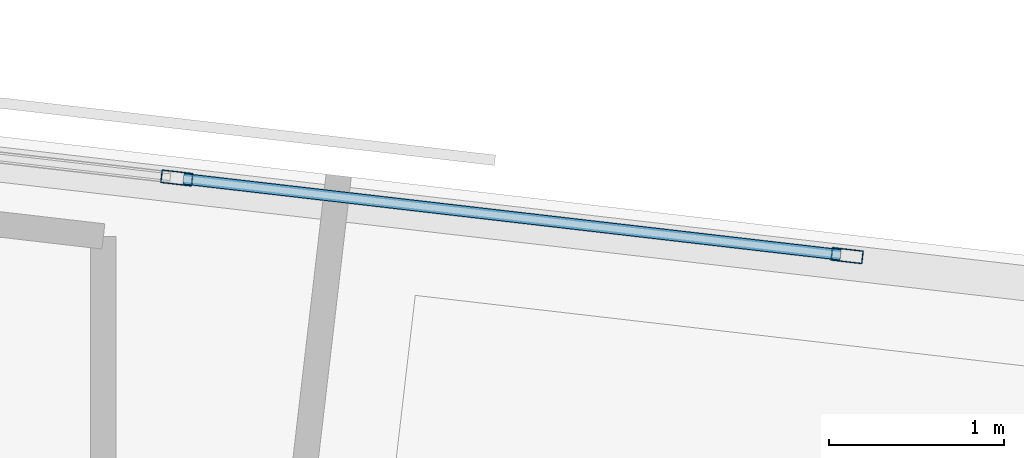
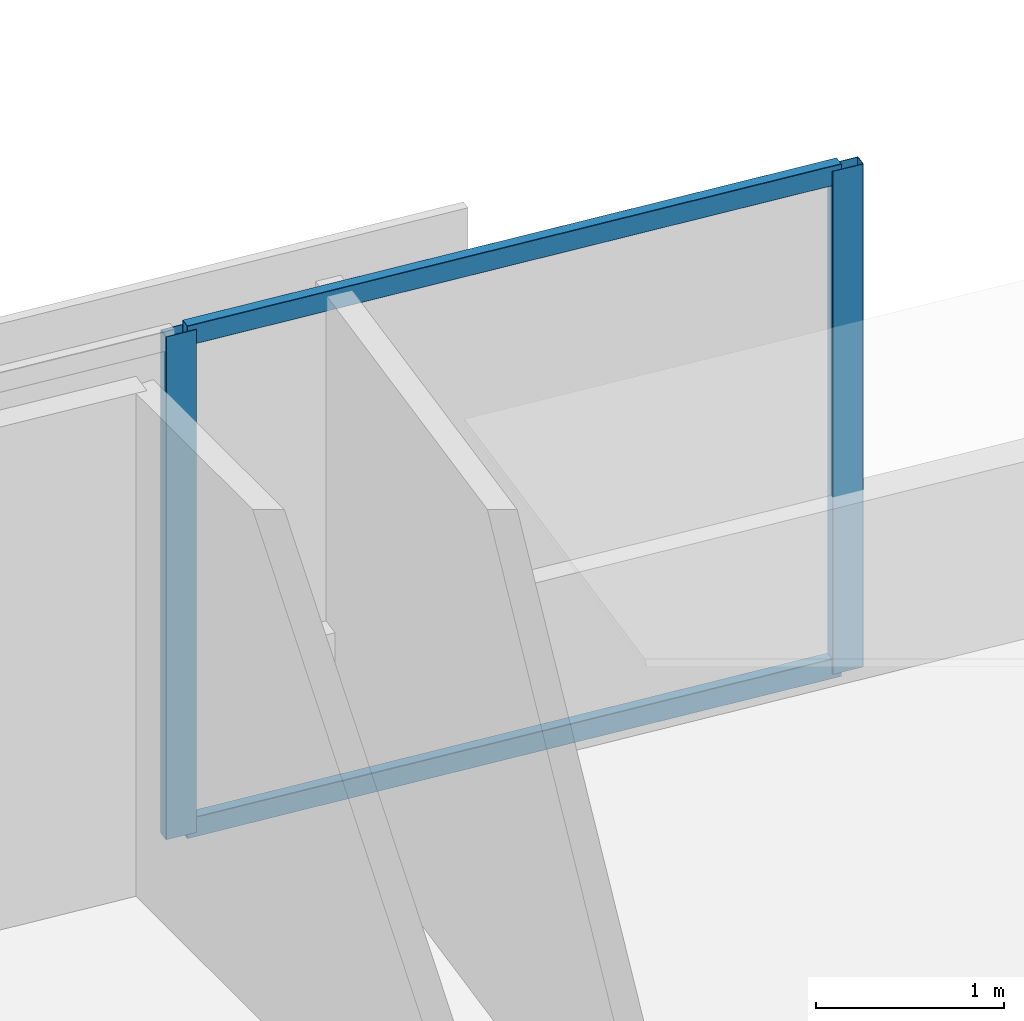
# One storey, part 2 of 14: 4 members, 1 element without a shape of its own.
"""IFC4 building model written with IfcOpenShell, lengths in metres."""

from ifc_helpers import new_model, si_unit, direction, frame, origin, origin_2d, place, context, subcontext, project, spatial, hollow_rectangle, extrude, material, material_profile, profile_set, type_object, element, aggregate, save


model = new_model("IFC4")

# Units and contexts
model_context = context("Model", 3, precision=1e-05, world=origin(), true_north=direction((0.0, 1.0)))
body_context = subcontext(model_context, "Body", "Model", "MODEL_VIEW")
ifc_project = project(units=[si_unit("LENGTHUNIT", "METRE"), si_unit("AREAUNIT", "SQUARE_METRE"), si_unit("VOLUMEUNIT", "CUBIC_METRE"), si_unit("PLANEANGLEUNIT", "RADIAN"), si_unit("MASSUNIT", "GRAM", prefix="KILO")], contexts=[model_context])

# Site, building, storey
site_placement = place(None, origin())
site = spatial("IfcSite", under=ifc_project, at=site_placement, CompositionType="ELEMENT")
building_placement = place(site_placement, origin())
building = spatial("IfcBuilding", under=site, at=building_placement, Name="Narakoshi Arena Tower", CompositionType="ELEMENT")
storey_placement = place(building_placement, frame((0.0, 0.0, 218.5)))
storey = spatial("IfcBuildingStorey", under=building, at=storey_placement, Name="L59", CompositionType="ELEMENT", Elevation=218.5)

# Curtain wall, members
ifc_material = material(Name="Anodised bronze aluminium 6063-T6", Category="aluminium")
curtain_wall_type = type_object("IfcCurtainWallType", Name="CW-HYP-MID", PredefinedType="NOTDEFINED", material=ifc_material)
curtain_wall_placement = place(storey_placement, origin())
curtain_wall = element("IfcCurtainWall", 1, at=curtain_wall_placement, inside=storey, type_object=curtain_wall_type, Name="L59 Folded Hypotenuse Curtain Wall 2-1", PredefinedType="NOTDEFINED")
ifc_material_profile_1 = material_profile(ifc_material, hollow_rectangle(XDim=0.074951171875, YDim=0.179931640625, WallThickness=0.00390625, OuterFilletRadius=0.0048828125, at=origin_2d()), Name="MUL180x75x4")
ifc_profile_set_1 = profile_set([ifc_material_profile_1], Name="Anodised bronze aluminium 6063-T6")
member_type_1 = type_object("IfcMemberType", Name="MEM-MUL-180", PredefinedType="MULLION", material=ifc_profile_set_1)
member_1_placement = place(storey_placement, frame((83.901611328125, 63.554931640625, 0.0), z_axis=(0.0, 0.0, 1.0), x_axis=(-0.115011296816, -0.993364183774, 0.0)))
member_1 = element("IfcMember", 2, at=member_1_placement, type_object=member_type_1, Name="CW-02 mullion 1", PredefinedType="MULLION", context=body_context, shape_type="SweptSolid", body=[
    extrude(hollow_rectangle(XDim=0.074951171875, YDim=0.179931640625, WallThickness=0.00390625, OuterFilletRadius=0.0048828125, at=origin_2d()), origin(), (0.0, 0.0, 1.0), 3.260009765625),
])
member_2_placement = place(storey_placement, frame((80.06982421875, 63.99853515625, 0.0), z_axis=(0.0, 0.0, 1.0), x_axis=(-0.115011296816, -0.993364183774, 0.0)))
member_2 = element("IfcMember", 3, at=member_2_placement, type_object=member_type_1, Name="CW-02 mullion 2", PredefinedType="MULLION", context=body_context, shape_type="SweptSolid", body=[
    extrude(hollow_rectangle(XDim=0.074951171875, YDim=0.179931640625, WallThickness=0.00390625, OuterFilletRadius=0.0048828125, at=origin_2d()), origin(), (0.0, 0.0, 1.0), 3.260009765625),
])
ifc_material_profile_2 = material_profile(ifc_material, hollow_rectangle(XDim=0.06494140625, YDim=0.1298828125, WallThickness=0.00390625, OuterFilletRadius=0.0048828125, at=origin_2d()), Name="TRN130x65x4")
ifc_profile_set_2 = profile_set([ifc_material_profile_2], Name="Anodised bronze aluminium 6063-T6")
member_type_2 = type_object("IfcMemberType", Name="MEM-TRN-130", PredefinedType="USERDEFINED", material=ifc_profile_set_2)
member_3_placement = place(storey_placement, frame((83.864501953125, 63.55908203125, 0.032470703125), z_axis=(-0.993363915753, 0.115013611713, 0.0), x_axis=(-0.115013611713, -0.993363915753, 0.0)))
member_3 = element("IfcMember", 4, at=member_3_placement, type_object=member_type_2, Name="CW-02 transom 1.1", ObjectType="TRANSOM", PredefinedType="USERDEFINED", context=body_context, shape_type="SweptSolid", body=[
    extrude(hollow_rectangle(XDim=0.06494140625, YDim=0.1298828125, WallThickness=0.00390625, OuterFilletRadius=0.0048828125, at=origin_2d()), origin(), (0.0, 0.0, 1.0), 3.78271484375),
])
member_4_placement = place(storey_placement, frame((83.864501953125, 63.55908203125, 3.2275390625), z_axis=(-0.993363915753, 0.115013611713, 0.0), x_axis=(-0.115013611713, -0.993363915753, 0.0)))
member_4 = element("IfcMember", 5, at=member_4_placement, type_object=member_type_2, Name="CW-02 transom 1.2", ObjectType="TRANSOM", PredefinedType="USERDEFINED", context=body_context, shape_type="SweptSolid", body=[
    extrude(hollow_rectangle(XDim=0.06494140625, YDim=0.1298828125, WallThickness=0.00390625, OuterFilletRadius=0.0048828125, at=origin_2d()), origin(), (0.0, 0.0, 1.0), 3.78271484375),
])
aggregate(curtain_wall, [member_1, member_2, member_3, member_4])

save(model, "model.ifc")
